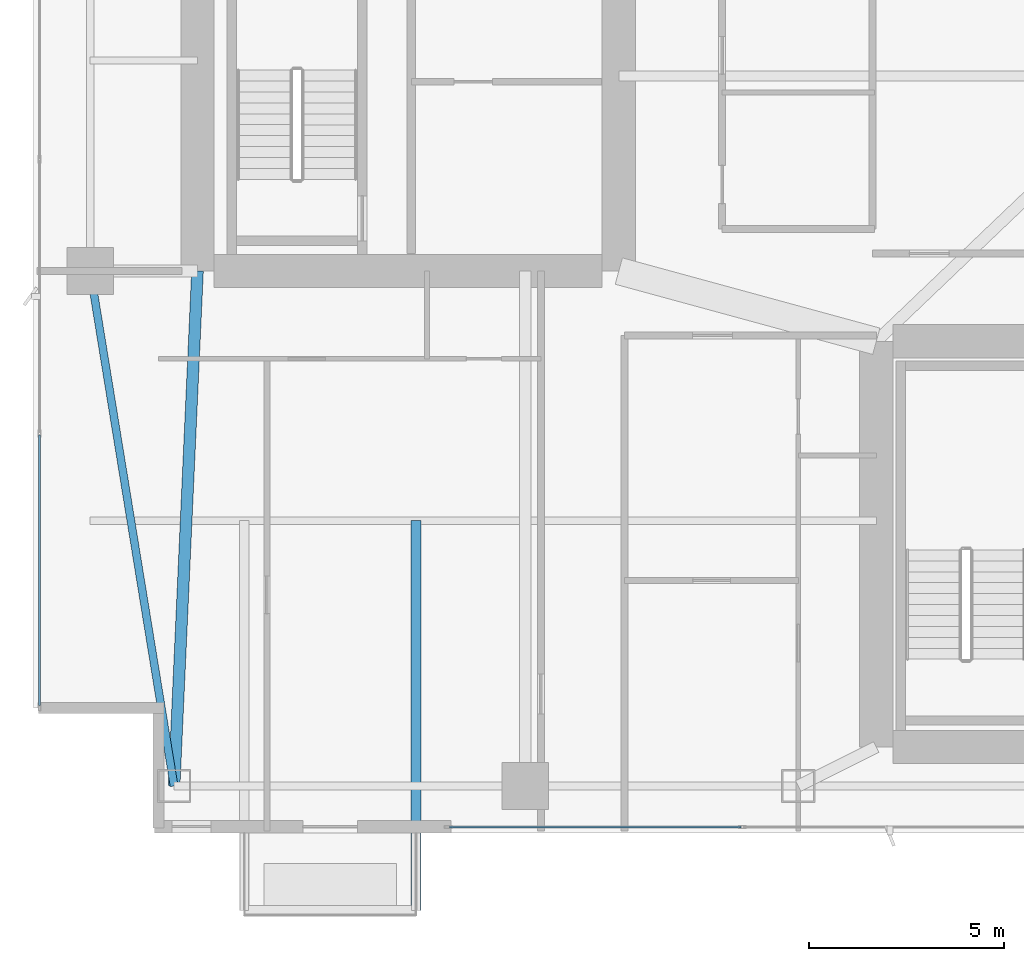
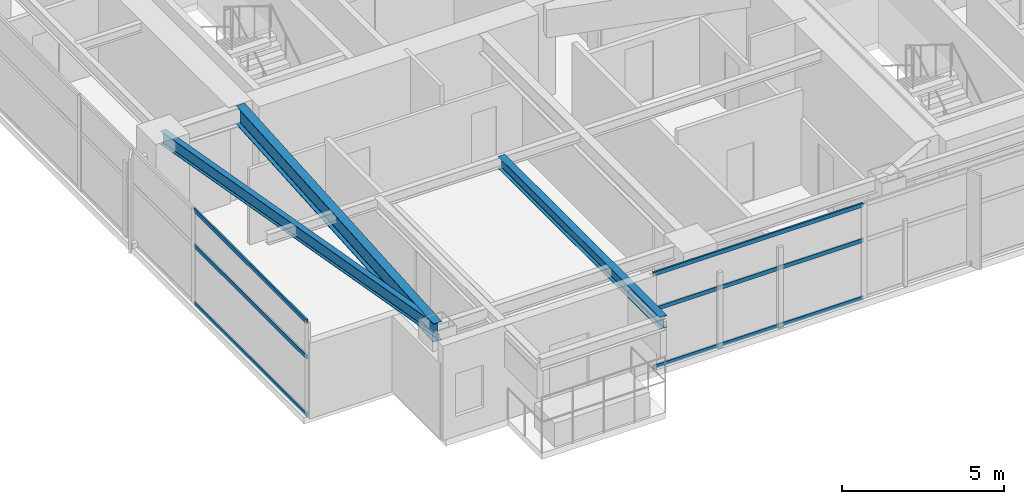
# One storey, part 3 of 28: 6 members, 3 beams, 2 elements without a shape of their own.
"""IFC4 building model written with IfcOpenShell, lengths in metres."""

from ifc_helpers import new_model, si_unit, direction, frame, origin, origin_2d, place, context, subcontext, project, spatial, hollow_rectangle, i_section, extrude, material, layer, layer_set, material_profile, profile_set, type_object, element, aggregate, save


model = new_model("IFC4")

# Units and contexts
model_context = context("Model", 3, precision=1e-05, world=origin(), true_north=direction((0.0, 1.0)))
body_context = subcontext(model_context, "Body", "Model", "MODEL_VIEW")
ifc_project = project(units=[si_unit("LENGTHUNIT", "METRE"), si_unit("AREAUNIT", "SQUARE_METRE"), si_unit("VOLUMEUNIT", "CUBIC_METRE"), si_unit("PLANEANGLEUNIT", "RADIAN"), si_unit("MASSUNIT", "GRAM", prefix="KILO")], contexts=[model_context])

# Site, building, storey
site_placement = place(None, origin())
site = spatial("IfcSite", under=ifc_project, at=site_placement, CompositionType="ELEMENT")
building_placement = place(site_placement, origin())
building = spatial("IfcBuilding", under=site, at=building_placement, Name="Calvorn Quay Hotel", CompositionType="ELEMENT")
storey_placement = place(building_placement, frame((0.0, 0.0, 112.60009765625)))
storey = spatial("IfcBuildingStorey", under=building, at=storey_placement, Name="L27", CompositionType="ELEMENT", Elevation=112.60009765625)

# Beams
ifc_material_1 = material(Name="Steel Q355B", Category="steel")
ifc_material_profile_1 = material_profile(ifc_material_1, i_section(OverallWidth=0.25, OverallDepth=0.449951171875, WebThickness=0.011962890625, FlangeThickness=0.01611328125, FilletRadius=0.01611328125, at=origin_2d()), Name="HN450x250x12x16")
ifc_profile_set_1 = profile_set([ifc_material_profile_1], Name="Steel Q355B")
beam_type_1 = type_object("IfcBeamType", Name="BM-CANT-BALC", PredefinedType="BEAM", material=ifc_profile_set_1)
beam_1_placement = place(storey_placement, frame((9.800048828125, 10.39990234375, 3.31494140625), z_axis=(0.0, -1.0, 0.0), x_axis=(1.0, 0.0, 0.0)))
element("IfcBeam", 1, at=beam_1_placement, inside=storey, type_object=beam_type_1, Name="Cantilever Balcony Beam BCB-L28-2B", PredefinedType="BEAM", context=body_context, shape_type="SweptSolid", body=[
    extrude(i_section(OverallWidth=0.25, OverallDepth=0.449951171875, WebThickness=0.011962890625, FlangeThickness=0.01611328125, FilletRadius=0.01611328125, at=origin_2d()), origin(), (0.0, 0.0, 1.0), 9.989990234375),
])
ifc_material_2 = material(Name="Steel Q390GJC", Category="steel")
ifc_material_profile_2 = material_profile(ifc_material_2, i_section(OverallWidth=0.300048828125, OverallDepth=0.699951171875, WebThickness=0.012939453125, FlangeThickness=0.02392578125, FilletRadius=0.02392578125, at=origin_2d()), Name="HN700x300x13x24")
ifc_profile_set_2 = profile_set([ifc_material_profile_2], Name="Steel Q390GJC")
beam_type_2 = type_object("IfcBeamType", Name="BM-GIRD-MAIN", PredefinedType="BEAM", material=ifc_profile_set_2)
beam_2_placement = place(storey_placement, frame((3.60009765625, 3.60009765625, 3.18994140625), z_axis=(0.045396765494, 0.998969035397, 0.0), x_axis=(-0.998969035397, 0.045396765494, 0.0)))
element("IfcBeam", 2, at=beam_2_placement, inside=storey, type_object=beam_type_2, Name="Beam BG-L27-W0", PredefinedType="BEAM", context=body_context, shape_type="SweptSolid", body=[
    extrude(i_section(OverallWidth=0.300048828125, OverallDepth=0.699951171875, WebThickness=0.012939453125, FlangeThickness=0.02392578125, FilletRadius=0.02392578125, at=origin_2d()), origin(), (0.0, 0.0, 1.0), 13.213623046875),
])
ifc_material_3 = material(Name="Steel Q355B", Category="steel")
ifc_material_profile_3 = material_profile(ifc_material_3, i_section(OverallWidth=0.199951171875, OverallDepth=0.5, WebThickness=0.010009765625, FlangeThickness=0.01611328125, FilletRadius=0.01611328125, at=origin_2d()), Name="HN500x200x10x16")
ifc_profile_set_3 = profile_set([ifc_material_profile_3], Name="Steel Q355B")
beam_type_3 = type_object("IfcBeamType", Name="BM-SPANDREL-Z1", PredefinedType="SPANDREL", material=ifc_profile_set_3)
beam_3_placement = place(storey_placement, frame((3.60009765625, 3.60009765625, 3.289794921875), z_axis=(-0.16077155054, 0.986991645627, 0.0), x_axis=(-0.986991645627, -0.16077155054, 0.0)))
element("IfcBeam", 3, at=beam_3_placement, inside=storey, type_object=beam_type_3, Name="Beam BSP-L27-W1", PredefinedType="SPANDREL", context=body_context, shape_type="SweptSolid", body=[
    extrude(i_section(OverallWidth=0.199951171875, OverallDepth=0.5, WebThickness=0.010009765625, FlangeThickness=0.01611328125, FilletRadius=0.01611328125, at=origin_2d()), origin(), (0.0, 0.0, 1.0), 13.3740234375),
])

# Curtain wall, members
ifc_material_4 = material(Name="Pale Anodised Aluminium and Low-E Glass", Category="aluminium")
ifc_layer = layer(ifc_material_4, 0.219970703125)
ifc_layer_set = layer_set([ifc_layer], Name="CW-SYS-Z2")
curtain_wall_type = type_object("IfcCurtainWallType", Name="CW-SYS-Z2", PredefinedType="NOTDEFINED", material=ifc_layer_set)
curtain_wall_1_placement = place(storey_placement, origin())
curtain_wall_1 = element("IfcCurtainWall", 4, at=curtain_wall_1_placement, inside=storey, type_object=curtain_wall_type, Name="Tower West Curtain Wall (L27)", PredefinedType="NOTDEFINED")
ifc_material_5 = material(Name="Pale Anodised Aluminium 6063-T6", Category="aluminium")
ifc_material_profile_4 = material_profile(ifc_material_5, hollow_rectangle(XDim=0.06005859375, YDim=0.14990234375, WallThickness=0.00341796875, at=origin_2d()), Name="ALU-T150x60x3.5")
ifc_profile_set_4 = profile_set([ifc_material_profile_4], Name="Pale Anodised Aluminium 6063-T6")
member_type = type_object("IfcMemberType", Name="CW-SYS-Z2-TRN", PredefinedType="USERDEFINED", material=ifc_profile_set_4)
member_1_placement = place(storey_placement, frame((0.14990234375, 5.659912109375, 0.02978515625), z_axis=(0.0, 1.0, 0.0), x_axis=(-1.0, 0.0, 0.0)))
member_1 = element("IfcMember", 5, at=member_1_placement, type_object=member_type, Name="CW-L27-W transom 1.1", ObjectType="TRANSOM", PredefinedType="USERDEFINED", context=body_context, shape_type="SweptSolid", body=[
    extrude(hollow_rectangle(XDim=0.06005859375, YDim=0.14990234375, WallThickness=0.00341796875, at=origin_2d()), origin(), (0.0, 0.0, 1.0), 6.943359375),
])
member_2_placement = place(storey_placement, frame((0.14990234375, 5.659912109375, 2.199951171875), z_axis=(0.0, 1.0, 0.0), x_axis=(-1.0, 0.0, 0.0)))
member_2 = element("IfcMember", 6, at=member_2_placement, type_object=member_type, Name="CW-L27-W transom 1.2", ObjectType="TRANSOM", PredefinedType="USERDEFINED", context=body_context, shape_type="SweptSolid", body=[
    extrude(hollow_rectangle(XDim=0.06005859375, YDim=0.14990234375, WallThickness=0.00341796875, at=origin_2d()), origin(), (0.0, 0.0, 1.0), 6.943359375),
])
member_3_placement = place(storey_placement, frame((0.14990234375, 5.659912109375, 3.52978515625), z_axis=(0.0, 1.0, 0.0), x_axis=(-1.0, 0.0, 0.0)))
member_3 = element("IfcMember", 7, at=member_3_placement, type_object=member_type, Name="CW-L27-W transom 1.3", ObjectType="TRANSOM", PredefinedType="USERDEFINED", context=body_context, shape_type="SweptSolid", body=[
    extrude(hollow_rectangle(XDim=0.06005859375, YDim=0.14990234375, WallThickness=0.00341796875, at=origin_2d()), origin(), (0.0, 0.0, 1.0), 6.943359375),
])
aggregate(curtain_wall_1, [member_1, member_2, member_3])

curtain_wall_2_placement = place(storey_placement, origin())
curtain_wall_2 = element("IfcCurtainWall", 8, at=curtain_wall_2_placement, inside=storey, type_object=curtain_wall_type, Name="Tower South Waterfront Curtain Wall (L27)", PredefinedType="NOTDEFINED")
member_4_placement = place(storey_placement, frame((10.659912109375, 2.550048828125, 0.02978515625), z_axis=(1.0, 0.0, 0.0), x_axis=(0.0, 1.0, 0.0)))
member_4 = element("IfcMember", 9, at=member_4_placement, type_object=member_type, Name="CW-L27-S transom 1.1", ObjectType="TRANSOM", PredefinedType="USERDEFINED", context=body_context, shape_type="SweptSolid", body=[
    extrude(hollow_rectangle(XDim=0.06005859375, YDim=0.14990234375, WallThickness=0.00341796875, at=origin_2d()), origin(), (0.0, 0.0, 1.0), 7.476806640625),
])
member_5_placement = place(storey_placement, frame((10.659912109375, 2.550048828125, 2.199951171875), z_axis=(1.0, 0.0, 0.0), x_axis=(0.0, 1.0, 0.0)))
member_5 = element("IfcMember", 10, at=member_5_placement, type_object=member_type, Name="CW-L27-S transom 1.2", ObjectType="TRANSOM", PredefinedType="USERDEFINED", context=body_context, shape_type="SweptSolid", body=[
    extrude(hollow_rectangle(XDim=0.06005859375, YDim=0.14990234375, WallThickness=0.00341796875, at=origin_2d()), origin(), (0.0, 0.0, 1.0), 7.476806640625),
])
member_6_placement = place(storey_placement, frame((10.659912109375, 2.550048828125, 3.52978515625), z_axis=(1.0, 0.0, 0.0), x_axis=(0.0, 1.0, 0.0)))
member_6 = element("IfcMember", 11, at=member_6_placement, type_object=member_type, Name="CW-L27-S transom 1.3", ObjectType="TRANSOM", PredefinedType="USERDEFINED", context=body_context, shape_type="SweptSolid", body=[
    extrude(hollow_rectangle(XDim=0.06005859375, YDim=0.14990234375, WallThickness=0.00341796875, at=origin_2d()), origin(), (0.0, 0.0, 1.0), 7.476806640625),
])
aggregate(curtain_wall_2, [member_4, member_5, member_6])

save(model, "model.ifc")
